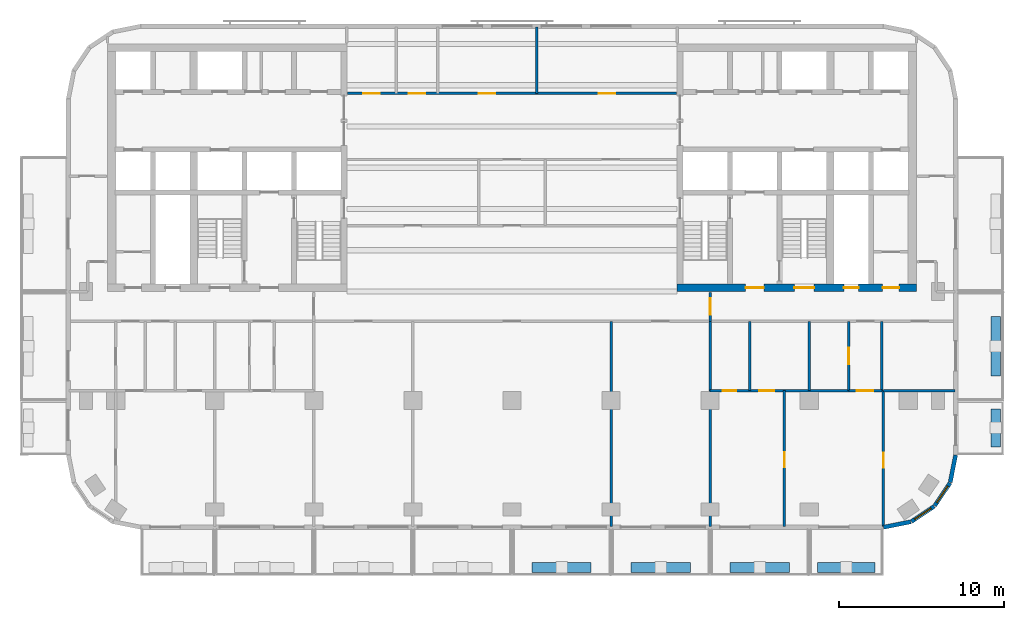
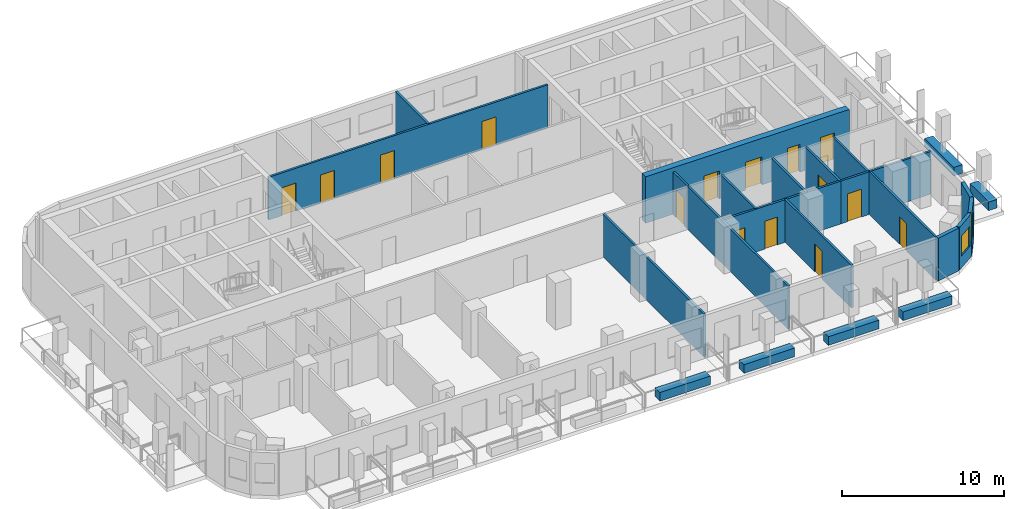
# One storey, part 5 of 11: 25 walls, 15 doors, 2 windows, 17 openings.
"""IFC4 building model written with IfcOpenShell, lengths in metres."""

from ifc_helpers import new_model, si_unit, direction, frame, frame_2d, origin, place, context, subcontext, project, spatial, rectangle, extrude, material, layer, layer_set, type_object, element, fill, save


model = new_model("IFC4")

# Units and contexts
model_context = context("Model", 3, precision=1e-05, world=origin(), true_north=direction((0.0, 1.0)))
body_context = subcontext(model_context, "Body", "Model", "MODEL_VIEW")
ifc_project = project(units=[si_unit("LENGTHUNIT", "METRE"), si_unit("AREAUNIT", "SQUARE_METRE"), si_unit("VOLUMEUNIT", "CUBIC_METRE"), si_unit("PLANEANGLEUNIT", "RADIAN"), si_unit("MASSUNIT", "GRAM", prefix="KILO")], contexts=[model_context])

# Site, building, storey
site_placement = place(None, origin())
site = spatial("IfcSite", under=ifc_project, at=site_placement, CompositionType="ELEMENT")
building_placement = place(site_placement, origin())
building = spatial("IfcBuilding", under=site, at=building_placement, Name="Torana Hotel and Residences", CompositionType="ELEMENT")
storey_placement = place(building_placement, frame((0.0, 0.0, 218.60009765625)))
storey = spatial("IfcBuildingStorey", under=building, at=storey_placement, Name="L57", CompositionType="ELEMENT", Elevation=218.60009765625)

# Wall, openings, doors
ifc_material_1 = material(Name="Concrete C70/85", Category="concrete")
ifc_layer_1 = layer(ifc_material_1, 0.449951171875)
ifc_layer_set_1 = layer_set([ifc_layer_1], Name="CORE WALL 450 C70/85")
wall_type_1 = type_object("IfcWallType", Name="CORE WALL 450 C70/85", PredefinedType="SHEAR", material=ifc_layer_set_1)
wall_1_placement = place(storey_placement, frame((10.0, -14.77490234375, 0.0), z_axis=(0.0, 0.0, 1.0), x_axis=(1.0, 0.0, 0.0)))
wall_1 = element("IfcWall", 1, at=wall_1_placement, inside=storey, type_object=wall_type_1, Name="Core wall E front", PredefinedType="SHEAR", context=body_context, shape_type="SweptSolid", body=[
    extrude(rectangle(XDim=14.5, YDim=0.449951171875, at=frame_2d((7.25, 0.0))), origin(), (0.0, 0.0, 1.0), 3.5),
])
opening_1_placement = place(wall_1_placement, frame((7.10009765625, 0.0, 0.0)))
opening_1 = element("IfcOpeningElement", 2, at=opening_1_placement, cuts=wall_1, Name="Opening L57-18", PredefinedType="OPENING", context=body_context, shape_type="SweptSolid", body=[
    extrude(rectangle(XDim=1.199951171875, YDim=2.10009765625, at=frame_2d((0.60009765625, 1.050048828125))), frame((0.0, 0.23486328125, 0.0), z_axis=(0.0, -1.0, 0.0), x_axis=(1.0, 0.0, 0.0)), (0.0, 0.0, 1.0), 0.469970703125),
])
opening_2_placement = place(wall_1_placement, frame((4.14990234375, 0.0, 0.0)))
opening_2 = element("IfcOpeningElement", 3, at=opening_2_placement, cuts=wall_1, Name="Opening L57-19", PredefinedType="OPENING", context=body_context, shape_type="SweptSolid", body=[
    extrude(rectangle(XDim=1.10009765625, YDim=2.10009765625, at=frame_2d((0.550048828125, 1.050048828125))), frame((0.0, 0.23486328125, 0.0), z_axis=(0.0, -1.0, 0.0), x_axis=(1.0, 0.0, 0.0)), (0.0, 0.0, 1.0), 0.469970703125),
])
opening_3_placement = place(wall_1_placement, frame((10.10009765625, 0.0, 0.0)))
opening_3 = element("IfcOpeningElement", 4, at=opening_3_placement, cuts=wall_1, Name="Opening L57-20", PredefinedType="OPENING", context=body_context, shape_type="SweptSolid", body=[
    extrude(rectangle(XDim=0.89990234375, YDim=2.10009765625, at=frame_2d((0.449951171875, 1.050048828125))), frame((0.0, 0.23486328125, 0.0), z_axis=(0.0, -1.0, 0.0), x_axis=(1.0, 0.0, 0.0)), (0.0, 0.0, 1.0), 0.469970703125),
])
opening_4_placement = place(wall_1_placement, frame((12.449951171875, 0.0, 0.0)))
opening_4 = element("IfcOpeningElement", 5, at=opening_4_placement, cuts=wall_1, Name="Opening L57-21", PredefinedType="OPENING", context=body_context, shape_type="SweptSolid", body=[
    extrude(rectangle(XDim=1.0, YDim=2.10009765625, at=frame_2d((0.5, 1.050048828125))), frame((0.0, 0.23486328125, 0.0), z_axis=(0.0, -1.0, 0.0), x_axis=(1.0, 0.0, 0.0)), (0.0, 0.0, 1.0), 0.469970703125),
])
ifc_material_2 = material(Name="Steel S235", Category="steel")
door_type_1 = type_object("IfcDoorType", Name="CORE ROOM FIRE DOOR D14 1000x2100", OperationType="SINGLE_SWING_LEFT", PredefinedType="DOOR", material=ifc_material_2)
door_1_placement = place(opening_4_placement, origin())
door_1 = element("IfcDoor", 6, at=door_1_placement, inside=storey, type_object=door_type_1, Name="M-Room-B door L57", OperationType="SINGLE_SWING_RIGHT", OverallHeight=2.10009765625, OverallWidth=1.0, PredefinedType="DOOR", context=body_context, shape_type="SweptSolid", body=[
    extrude(rectangle(XDim=1.0, YDim=2.10009765625, at=frame_2d((0.5, 1.050048828125))), frame((0.0, 0.02490234375, 0.0), z_axis=(0.0, -1.0, 0.0), x_axis=(1.0, 0.0, 0.0)), (0.0, 0.0, 1.0), 0.050048828125),
])
fill(opening_4, door_1)
ifc_material_3 = material(Name="Steel S235", Category="steel")
door_type_2 = type_object("IfcDoorType", Name="FIRE-FIGHTING LOBBY DOOR D8 1100x2100", OperationType="SINGLE_SWING_LEFT", PredefinedType="DOOR", material=ifc_material_3)
door_2_placement = place(opening_2_placement, origin())
door_2 = element("IfcDoor", 7, at=door_2_placement, inside=storey, type_object=door_type_2, Name="FF-lobby door L57", OperationType="SINGLE_SWING_RIGHT", OverallHeight=2.10009765625, OverallWidth=1.10009765625, PredefinedType="DOOR", context=body_context, shape_type="SweptSolid", body=[
    extrude(rectangle(XDim=1.10009765625, YDim=2.10009765625, at=frame_2d((0.550048828125, 1.050048828125))), frame((0.0, 0.02490234375, 0.0), z_axis=(0.0, -1.0, 0.0), x_axis=(1.0, 0.0, 0.0)), (0.0, 0.0, 1.0), 0.050048828125),
])
fill(opening_2, door_2)
ifc_material_4 = material(Name="Steel S235", Category="steel")
door_type_3 = type_object("IfcDoorType", Name="RISER ACCESS DOOR D5 900x2100", OperationType="SINGLE_SWING_LEFT", PredefinedType="DOOR", material=ifc_material_4)
door_3_placement = place(opening_3_placement, origin())
door_3 = element("IfcDoor", 8, at=door_3_placement, inside=storey, type_object=door_type_3, Name="M-Riser door L57", OperationType="SINGLE_SWING_RIGHT", OverallHeight=2.10009765625, OverallWidth=0.89990234375, PredefinedType="DOOR", context=body_context, shape_type="SweptSolid", body=[
    extrude(rectangle(XDim=0.89990234375, YDim=2.10009765625, at=frame_2d((0.449951171875, 1.050048828125))), frame((0.0, 0.02490234375, 0.0), z_axis=(0.0, -1.0, 0.0), x_axis=(1.0, 0.0, 0.0)), (0.0, 0.0, 1.0), 0.050048828125),
])
fill(opening_3, door_3)
ifc_material_5 = material(Name="Steel S235", Category="steel")
door_type_4 = type_object("IfcDoorType", Name="STAIR FIRE DOOR D3 1200x2100", OperationType="SINGLE_SWING_LEFT", PredefinedType="DOOR", material=ifc_material_5)
door_4_placement = place(opening_1_placement, origin())
door_4 = element("IfcDoor", 9, at=door_4_placement, inside=storey, type_object=door_type_4, Name="Stair-B door L57", OperationType="SINGLE_SWING_RIGHT", OverallHeight=2.10009765625, OverallWidth=1.199951171875, PredefinedType="DOOR", context=body_context, shape_type="SweptSolid", body=[
    extrude(rectangle(XDim=1.199951171875, YDim=2.10009765625, at=frame_2d((0.60009765625, 1.050048828125))), frame((0.0, 0.02490234375, 0.0), z_axis=(0.0, -1.0, 0.0), x_axis=(1.0, 0.0, 0.0)), (0.0, 0.0, 1.0), 0.050048828125),
])
fill(opening_1, door_4)

# Wall
ifc_material_6 = material(Name="Black aluminium composite panel", Category="aluminium")
ifc_layer_2 = layer(ifc_material_6, 0.00390625, Name="Cladding", Category="cladding")
ifc_material_7 = material(Name="Ventilated air cavity")
ifc_layer_3 = layer(ifc_material_7, 0.0400390625, Name="Ventilated cavity", Category="cavity")
ifc_material_8 = material(Name="Mineral wool insulation")
ifc_layer_4 = layer(ifc_material_8, 0.090087890625, Name="Insulation", Category="insulation")
ifc_material_9 = material(Name="Steel S280GD", Category="steel")
ifc_layer_5 = layer(ifc_material_9, 0.092041015625, Name="Steel stud frame", Category="structure")
ifc_material_10 = material(Name="Fire rated plasterboard")
ifc_layer_6 = layer(ifc_material_10, 0.011962890625, Name="Inner board", Category="finish")
ifc_layer_7 = layer(ifc_material_10, 0.011962890625, Name="Second board", Category="finish")
ifc_layer_set_2 = layer_set([ifc_layer_2, ifc_layer_3, ifc_layer_4, ifc_layer_5, ifc_layer_6, ifc_layer_7], Name="EW1 EXTERNAL WALL BLACK METAL CLAD 250")
wall_type_2 = type_object("IfcWallType", Name="EW1 EXTERNAL WALL BLACK METAL CLAD 250", PredefinedType="SOLIDWALL", material=ifc_layer_set_2)
wall_2_placement = place(storey_placement, frame((22.499755859375, -29.272705078125, 0.0), z_axis=(0.0, 0.0, 1.0), x_axis=(0.980775640221, 0.19513878023, 0.0)))
element("IfcWall", 10, at=wall_2_placement, inside=storey, type_object=wall_type_2, Name="External wall L57 e0.15", PredefinedType="SOLIDWALL", context=body_context, shape_type="SweptSolid", body=[
    extrude(rectangle(XDim=1.681396484375, YDim=0.25, at=frame_2d((0.8408203125, 0.0))), origin(), (0.0, 0.0, 1.0), 3.219970703125),
])

# Wall, opening, window
wall_3_placement = place(storey_placement, frame((24.194091796875, -28.92578125, 0.0), z_axis=(0.0, 0.0, 1.0), x_axis=(0.831482937015, 0.55555029066, 0.0)))
wall_3 = element("IfcWall", 11, at=wall_3_placement, inside=storey, type_object=wall_type_2, Name="External wall L57 e0.16", PredefinedType="SOLIDWALL", context=body_context, shape_type="SweptSolid", body=[
    extrude(rectangle(XDim=1.65625, YDim=0.25, at=frame_2d((0.828125, 0.0))), origin(), (0.0, 0.0, 1.0), 3.219970703125),
])
opening_5_placement = place(wall_3_placement, frame((0.228271484375, 0.0, 0.89990234375)))
opening_5 = element("IfcOpeningElement", 12, at=opening_5_placement, cuts=wall_3, Name="Opening W5", PredefinedType="OPENING", context=body_context, shape_type="SweptSolid", body=[
    extrude(rectangle(XDim=1.199951171875, YDim=1.5, at=frame_2d((0.60009765625, 0.75))), frame((0.0, 0.135009765625, 0.0), z_axis=(0.0, -1.0, 0.0), x_axis=(1.0, 0.0, 0.0)), (0.0, 0.0, 1.0), 0.27001953125),
])
ifc_material_11 = material(Name="Dark glass in black aluminium frame", Category="aluminium")
window_type = type_object("IfcWindowType", Name="W5 CORNER FACET WINDOW 1200x1500", PartitioningType="SINGLE_PANEL", PredefinedType="WINDOW", material=ifc_material_11)
window_1_placement = place(opening_5_placement, origin())
window_1 = element("IfcWindow", 13, at=window_1_placement, inside=storey, type_object=window_type, Name="Window L57 e0.16", OverallHeight=1.5, OverallWidth=1.199951171875, PartitioningType="SINGLE_PANEL", PredefinedType="WINDOW", context=body_context, shape_type="SweptSolid", body=[
    extrude(rectangle(XDim=1.199951171875, YDim=1.5, at=frame_2d((0.60009765625, 0.75))), frame((0.0, 0.030029296875, 0.0), z_axis=(0.0, -1.0, 0.0), x_axis=(1.0, 0.0, 0.0)), (0.0, 0.0, 1.0), 0.06005859375),
])
fill(opening_5, window_1)

wall_4_placement = place(storey_placement, frame((25.605712890625, -27.97119140625, 0.0), z_axis=(0.0, 0.0, 1.0), x_axis=(0.55555029066, 0.831482937015, 0.0)))
wall_4 = element("IfcWall", 14, at=wall_4_placement, inside=storey, type_object=wall_type_2, Name="External wall L57 e0.17", PredefinedType="SOLIDWALL", context=body_context, shape_type="SweptSolid", body=[
    extrude(rectangle(XDim=1.65625, YDim=0.25, at=frame_2d((0.828125, 0.0))), origin(), (0.0, 0.0, 1.0), 3.219970703125),
])
opening_6_placement = place(wall_4_placement, frame((0.228271484375, 0.0, 0.89990234375)))
opening_6 = element("IfcOpeningElement", 15, at=opening_6_placement, cuts=wall_4, Name="Opening W5", PredefinedType="OPENING", context=body_context, shape_type="SweptSolid", body=[
    extrude(rectangle(XDim=1.199951171875, YDim=1.5, at=frame_2d((0.60009765625, 0.75))), frame((0.0, 0.135009765625, 0.0), z_axis=(0.0, -1.0, 0.0), x_axis=(1.0, 0.0, 0.0)), (0.0, 0.0, 1.0), 0.27001953125),
])
window_2_placement = place(opening_6_placement, origin())
window_2 = element("IfcWindow", 16, at=window_2_placement, inside=storey, type_object=window_type, Name="Window L57 e0.17", OverallHeight=1.5, OverallWidth=1.199951171875, PartitioningType="SINGLE_PANEL", PredefinedType="WINDOW", context=body_context, shape_type="SweptSolid", body=[
    extrude(rectangle(XDim=1.199951171875, YDim=1.5, at=frame_2d((0.60009765625, 0.75))), frame((0.0, 0.030029296875, 0.0), z_axis=(0.0, -1.0, 0.0), x_axis=(1.0, 0.0, 0.0)), (0.0, 0.0, 1.0), 0.06005859375),
])
fill(opening_6, window_2)

# Walls
wall_5_placement = place(storey_placement, frame((26.544677734375, -26.548828125, 0.0), z_axis=(0.0, 0.0, 1.0), x_axis=(0.195026884138, 0.980797896849, 0.0)))
element("IfcWall", 17, at=wall_5_placement, inside=storey, type_object=wall_type_2, Name="External wall L57 e0.18", PredefinedType="SOLIDWALL", context=body_context, shape_type="SweptSolid", body=[
    extrude(rectangle(XDim=1.68115234375, YDim=0.25, at=frame_2d((0.840576171875, 0.0))), origin(), (0.0, 0.0, 1.0), 3.219970703125),
])
ifc_material_12 = material(Name="Gypsum plaster")
ifc_layer_8 = layer(ifc_material_12, 0.014892578125, Name="Plaster", Category="finish")
ifc_material_13 = material(Name="Concrete blockwork", Category="masonry")
ifc_layer_9 = layer(ifc_material_13, 0.1201171875, Name="Blockwork", Category="structure")
ifc_layer_10 = layer(ifc_material_12, 0.014892578125, Name="Plaster", Category="finish")
ifc_layer_set_3 = layer_set([ifc_layer_8, ifc_layer_9, ifc_layer_10], Name="FIRE PARTITION 150 BLOCKWORK")
wall_type_3 = type_object("IfcWallType", Name="FIRE PARTITION 150 BLOCKWORK", PredefinedType="PARTITIONING", material=ifc_layer_set_3)
wall_6_placement = place(storey_placement, frame((22.39990234375, -21.0, 0.0), z_axis=(0.0, 0.0, 1.0), x_axis=(0.0, 1.0, 0.0)))
element("IfcWall", 18, at=wall_6_placement, inside=storey, type_object=wall_type_3, Name="Partition L57", PredefinedType="PARTITIONING", context=body_context, shape_type="SweptSolid", body=[
    extrude(rectangle(XDim=4.199951171875, YDim=0.14990234375, at=frame_2d((2.10009765625, 0.0))), origin(), (0.0, 0.0, 1.0), 3.219970703125),
])

# Wall, opening, door
wall_7_placement = place(storey_placement, frame((20.39990234375, -21.0, 0.0), z_axis=(0.0, 0.0, 1.0), x_axis=(0.0, 1.0, 0.0)))
wall_7 = element("IfcWall", 19, at=wall_7_placement, inside=storey, type_object=wall_type_3, Name="Partition L57", PredefinedType="PARTITIONING", context=body_context, shape_type="SweptSolid", body=[
    extrude(rectangle(XDim=4.199951171875, YDim=0.14990234375, at=frame_2d((2.10009765625, 0.0))), origin(), (0.0, 0.0, 1.0), 3.219970703125),
])
opening_7_placement = place(wall_7_placement, frame((1.60009765625, 0.0, 0.0)))
opening_7 = element("IfcOpeningElement", 20, at=opening_7_placement, cuts=wall_7, Name="Opening L57-60", PredefinedType="OPENING", context=body_context, shape_type="SweptSolid", body=[
    extrude(rectangle(XDim=1.0, YDim=2.10009765625, at=frame_2d((0.5, 1.050048828125))), frame((0.0, 0.0849609375, 0.0), z_axis=(0.0, -1.0, 0.0), x_axis=(1.0, 0.0, 0.0)), (0.0, 0.0, 1.0), 0.169921875),
])
ifc_material_14 = material(Name="Steel S235", Category="steel")
door_type_5 = type_object("IfcDoorType", Name="ENTRY FIRE DOOR D6 1000x2100", OperationType="SINGLE_SWING_LEFT", PredefinedType="DOOR", material=ifc_material_14)
door_5_placement = place(opening_7_placement, origin())
door_5 = element("IfcDoor", 21, at=door_5_placement, inside=storey, type_object=door_type_5, Name="Door L57", OperationType="SINGLE_SWING_RIGHT", OverallHeight=2.10009765625, OverallWidth=1.0, PredefinedType="DOOR", context=body_context, shape_type="SweptSolid", body=[
    extrude(rectangle(XDim=1.0, YDim=2.10009765625, at=frame_2d((0.5, 1.050048828125))), frame((0.0, 0.02490234375, 0.0), z_axis=(0.0, -1.0, 0.0), x_axis=(1.0, 0.0, 0.0)), (0.0, 0.0, 1.0), 0.050048828125),
])
fill(opening_7, door_5)

wall_8_placement = place(storey_placement, frame((12.0, -16.800048828125, 0.0), z_axis=(0.0, 0.0, 1.0), x_axis=(0.0, 1.0, 0.0)))
wall_8 = element("IfcWall", 22, at=wall_8_placement, inside=storey, type_object=wall_type_3, Name="Partition L57", PredefinedType="PARTITIONING", context=body_context, shape_type="SweptSolid", body=[
    extrude(rectangle(XDim=1.75, YDim=0.14990234375, at=frame_2d((0.875, 0.0))), origin(), (0.0, 0.0, 1.0), 3.219970703125),
])
opening_8_placement = place(wall_8_placement, frame((0.39990234375, 0.0, 0.0)))
opening_8 = element("IfcOpeningElement", 23, at=opening_8_placement, cuts=wall_8, Name="Opening L57-36", PredefinedType="OPENING", context=body_context, shape_type="SweptSolid", body=[
    extrude(rectangle(XDim=1.0, YDim=2.10009765625, at=frame_2d((0.5, 1.050048828125))), frame((0.0, 0.0849609375, 0.0), z_axis=(0.0, -1.0, 0.0), x_axis=(1.0, 0.0, 0.0)), (0.0, 0.0, 1.0), 0.169921875),
])
door_6_placement = place(opening_8_placement, origin())
door_6 = element("IfcDoor", 24, at=door_6_placement, inside=storey, type_object=door_type_5, Name="Door L57", OperationType="SINGLE_SWING_RIGHT", OverallHeight=2.10009765625, OverallWidth=1.0, PredefinedType="DOOR", context=body_context, shape_type="SweptSolid", body=[
    extrude(rectangle(XDim=1.0, YDim=2.10009765625, at=frame_2d((0.5, 1.050048828125))), frame((0.0, 0.02490234375, 0.0), z_axis=(0.0, -1.0, 0.0), x_axis=(1.0, 0.0, 0.0)), (0.0, 0.0, 1.0), 0.050048828125),
])
fill(opening_8, door_6)

wall_9_placement = place(storey_placement, frame((20.39990234375, -21.0, 0.0), z_axis=(0.0, 0.0, 1.0), x_axis=(1.0, 0.0, 0.0)))
wall_9 = element("IfcWall", 25, at=wall_9_placement, inside=storey, type_object=wall_type_3, Name="Partition L57", PredefinedType="PARTITIONING", context=body_context, shape_type="SweptSolid", body=[
    extrude(rectangle(XDim=2.0, YDim=0.14990234375, at=frame_2d((1.0, 0.0))), origin(), (0.0, 0.0, 1.0), 3.219970703125),
])
opening_9_placement = place(wall_9_placement, frame((0.47998046875, 0.0, 0.0)))
opening_9 = element("IfcOpeningElement", 26, at=opening_9_placement, cuts=wall_9, Name="Opening L57-61", PredefinedType="OPENING", context=body_context, shape_type="SweptSolid", body=[
    extrude(rectangle(XDim=1.0, YDim=2.10009765625, at=frame_2d((0.5, 1.050048828125))), frame((0.0, 0.0849609375, 0.0), z_axis=(0.0, -1.0, 0.0), x_axis=(1.0, 0.0, 0.0)), (0.0, 0.0, 1.0), 0.169921875),
])
door_7_placement = place(opening_9_placement, frame((0.5, 0.0, 0.0), z_axis=(0.0, 0.0, 1.0), x_axis=(-1.0, 0.0, 0.0)))
door_7 = element("IfcDoor", 27, at=door_7_placement, inside=storey, type_object=door_type_5, Name="Door L57", OperationType="SINGLE_SWING_RIGHT", OverallHeight=2.10009765625, OverallWidth=1.0, PredefinedType="DOOR", context=body_context, shape_type="SweptSolid", body=[
    extrude(rectangle(XDim=1.0, YDim=2.10009765625, at=frame_2d((0.0, 1.050048828125))), frame((0.0, -0.02490234375, 0.0), z_axis=(0.0, 1.0, 0.0), x_axis=(-1.0, 0.0, 0.0)), (0.0, 0.0, 1.0), 0.050048828125),
])
fill(opening_9, door_7)

# Wall, openings, doors
wall_10_placement = place(storey_placement, frame((-9.949951171875, -3.0, 0.0), z_axis=(0.0, 0.0, 1.0), x_axis=(1.0, 0.0, 0.0)))
wall_10 = element("IfcWall", 28, at=wall_10_placement, inside=storey, type_object=wall_type_3, Name="Partition L57", PredefinedType="PARTITIONING", context=body_context, shape_type="SweptSolid", body=[
    extrude(rectangle(XDim=19.89990234375, YDim=0.14990234375, at=frame_2d((9.949951171875, 0.0))), origin(), (0.0, 0.0, 1.0), 3.219970703125),
])
opening_10_placement = place(wall_10_placement, frame((0.949951171875, 0.0, 0.0)))
opening_10 = element("IfcOpeningElement", 29, at=opening_10_placement, cuts=wall_10, Name="Opening L57-47", PredefinedType="OPENING", context=body_context, shape_type="SweptSolid", body=[
    extrude(rectangle(XDim=1.0, YDim=2.10009765625, at=frame_2d((0.5, 1.050048828125))), frame((0.0, 0.0849609375, 0.0), z_axis=(0.0, -1.0, 0.0), x_axis=(1.0, 0.0, 0.0)), (0.0, 0.0, 1.0), 0.169921875),
])
opening_11_placement = place(wall_10_placement, frame((3.699951171875, 0.0, 0.0)))
opening_11 = element("IfcOpeningElement", 30, at=opening_11_placement, cuts=wall_10, Name="Opening L57-48", PredefinedType="OPENING", context=body_context, shape_type="SweptSolid", body=[
    extrude(rectangle(XDim=1.0, YDim=2.10009765625, at=frame_2d((0.5, 1.050048828125))), frame((0.0, 0.0849609375, 0.0), z_axis=(0.0, -1.0, 0.0), x_axis=(1.0, 0.0, 0.0)), (0.0, 0.0, 1.0), 0.169921875),
])
opening_12_placement = place(wall_10_placement, frame((7.949951171875, 0.0, 0.0)))
opening_12 = element("IfcOpeningElement", 31, at=opening_12_placement, cuts=wall_10, Name="Opening L57-49", PredefinedType="OPENING", context=body_context, shape_type="SweptSolid", body=[
    extrude(rectangle(XDim=1.0, YDim=2.10009765625, at=frame_2d((0.5, 1.050048828125))), frame((0.0, 0.0849609375, 0.0), z_axis=(0.0, -1.0, 0.0), x_axis=(1.0, 0.0, 0.0)), (0.0, 0.0, 1.0), 0.169921875),
])
opening_13_placement = place(wall_10_placement, frame((15.199951171875, 0.0, 0.0)))
opening_13 = element("IfcOpeningElement", 32, at=opening_13_placement, cuts=wall_10, Name="Opening L57-50", PredefinedType="OPENING", context=body_context, shape_type="SweptSolid", body=[
    extrude(rectangle(XDim=1.0, YDim=2.10009765625, at=frame_2d((0.5, 1.050048828125))), frame((0.0, 0.0849609375, 0.0), z_axis=(0.0, -1.0, 0.0), x_axis=(1.0, 0.0, 0.0)), (0.0, 0.0, 1.0), 0.169921875),
])
door_8_placement = place(opening_10_placement, origin())
door_8 = element("IfcDoor", 33, at=door_8_placement, inside=storey, type_object=door_type_5, Name="Door L57", OperationType="SINGLE_SWING_RIGHT", OverallHeight=2.10009765625, OverallWidth=1.0, PredefinedType="DOOR", context=body_context, shape_type="SweptSolid", body=[
    extrude(rectangle(XDim=1.0, YDim=2.10009765625, at=frame_2d((0.5, 1.050048828125))), frame((0.0, 0.02490234375, 0.0), z_axis=(0.0, -1.0, 0.0), x_axis=(1.0, 0.0, 0.0)), (0.0, 0.0, 1.0), 0.050048828125),
])
fill(opening_10, door_8)
door_9_placement = place(opening_11_placement, origin())
door_9 = element("IfcDoor", 34, at=door_9_placement, inside=storey, type_object=door_type_5, Name="Door L57", OperationType="SINGLE_SWING_RIGHT", OverallHeight=2.10009765625, OverallWidth=1.0, PredefinedType="DOOR", context=body_context, shape_type="SweptSolid", body=[
    extrude(rectangle(XDim=1.0, YDim=2.10009765625, at=frame_2d((0.5, 1.050048828125))), frame((0.0, 0.02490234375, 0.0), z_axis=(0.0, -1.0, 0.0), x_axis=(1.0, 0.0, 0.0)), (0.0, 0.0, 1.0), 0.050048828125),
])
fill(opening_11, door_9)
door_10_placement = place(opening_12_placement, origin())
door_10 = element("IfcDoor", 35, at=door_10_placement, inside=storey, type_object=door_type_5, Name="Door L57", OperationType="SINGLE_SWING_RIGHT", OverallHeight=2.10009765625, OverallWidth=1.0, PredefinedType="DOOR", context=body_context, shape_type="SweptSolid", body=[
    extrude(rectangle(XDim=1.0, YDim=2.10009765625, at=frame_2d((0.5, 1.050048828125))), frame((0.0, 0.02490234375, 0.0), z_axis=(0.0, -1.0, 0.0), x_axis=(1.0, 0.0, 0.0)), (0.0, 0.0, 1.0), 0.050048828125),
])
fill(opening_12, door_10)
door_11_placement = place(opening_13_placement, origin())
door_11 = element("IfcDoor", 36, at=door_11_placement, inside=storey, type_object=door_type_5, Name="Door L57", OperationType="SINGLE_SWING_RIGHT", OverallHeight=2.10009765625, OverallWidth=1.0, PredefinedType="DOOR", context=body_context, shape_type="SweptSolid", body=[
    extrude(rectangle(XDim=1.0, YDim=2.10009765625, at=frame_2d((0.5, 1.050048828125))), frame((0.0, 0.02490234375, 0.0), z_axis=(0.0, -1.0, 0.0), x_axis=(1.0, 0.0, 0.0)), (0.0, 0.0, 1.0), 0.050048828125),
])
fill(opening_13, door_11)

# Wall, opening, door
ifc_material_15 = material(Name="Gypsum plasterboard")
ifc_layer_11 = layer(ifc_material_15, 0.012451171875, Name="Plasterboard", Category="finish")
ifc_layer_12 = layer(ifc_material_15, 0.012451171875, Name="Plasterboard", Category="finish")
ifc_layer_13 = layer(ifc_material_9, 0.10009765625, Name="Steel studs with mineral wool", Category="insulation")
ifc_layer_14 = layer(ifc_material_15, 0.012451171875, Name="Plasterboard", Category="finish")
ifc_layer_15 = layer(ifc_material_15, 0.012451171875, Name="Plasterboard", Category="finish")
ifc_layer_set_4 = layer_set([ifc_layer_11, ifc_layer_12, ifc_layer_13, ifc_layer_14, ifc_layer_15], Name="PARTITION 150 PLASTERBOARD")
wall_type_4 = type_object("IfcWallType", Name="PARTITION 150 PLASTERBOARD", PredefinedType="PARTITIONING", material=ifc_layer_set_4)
wall_11_placement = place(storey_placement, frame((22.5, -29.216552734375, 0.0), z_axis=(0.0, 0.0, 1.0), x_axis=(0.0, 1.0, 0.0)))
wall_11 = element("IfcWall", 37, at=wall_11_placement, inside=storey, type_object=wall_type_4, Name="Partition L57", PredefinedType="PARTITIONING", context=body_context, shape_type="SweptSolid", body=[
    extrude(rectangle(XDim=8.216552734375, YDim=0.14990234375, at=frame_2d((4.1083984375, 0.0))), origin(), (0.0, 0.0, 1.0), 3.219970703125),
])
opening_14_placement = place(wall_11_placement, frame((3.54638671875, 0.0, 0.0)))
opening_14 = element("IfcOpeningElement", 38, at=opening_14_placement, cuts=wall_11, Name="Opening L57-63", PredefinedType="OPENING", context=body_context, shape_type="SweptSolid", body=[
    extrude(rectangle(XDim=0.89990234375, YDim=2.10009765625, at=frame_2d((0.449951171875, 1.050048828125))), frame((0.0, 0.0849609375, 0.0), z_axis=(0.0, -1.0, 0.0), x_axis=(1.0, 0.0, 0.0)), (0.0, 0.0, 1.0), 0.169921875),
])
ifc_material_16 = material(Name="Timber door, oiled ash", Category="wood")
door_type_6 = type_object("IfcDoorType", Name="ROOM DOOR D7 900x2100", OperationType="SINGLE_SWING_LEFT", PredefinedType="DOOR", material=ifc_material_16)
door_12_placement = place(opening_14_placement, origin())
door_12 = element("IfcDoor", 39, at=door_12_placement, inside=storey, type_object=door_type_6, Name="Door L57", OperationType="SINGLE_SWING_RIGHT", OverallHeight=2.10009765625, OverallWidth=0.89990234375, PredefinedType="DOOR", context=body_context, shape_type="SweptSolid", body=[
    extrude(rectangle(XDim=0.89990234375, YDim=2.10009765625, at=frame_2d((0.449951171875, 1.050048828125))), frame((0.0, 0.02490234375, 0.0), z_axis=(0.0, -1.0, 0.0), x_axis=(1.0, 0.0, 0.0)), (0.0, 0.0, 1.0), 0.050048828125),
])
fill(opening_14, door_12)

# Wall
wall_12_placement = place(storey_placement, frame((18.0, -21.0, 0.0), z_axis=(0.0, 0.0, 1.0), x_axis=(0.0, 1.0, 0.0)))
element("IfcWall", 40, at=wall_12_placement, inside=storey, type_object=wall_type_4, Name="Partition L57", PredefinedType="PARTITIONING", context=body_context, shape_type="SweptSolid", body=[
    extrude(rectangle(XDim=4.199951171875, YDim=0.14990234375, at=frame_2d((2.10009765625, 0.0))), origin(), (0.0, 0.0, 1.0), 3.219970703125),
])

# Wall, opening, door
wall_13_placement = place(storey_placement, frame((16.5, -29.219970703125, 0.0), z_axis=(0.0, 0.0, 1.0), x_axis=(0.0, 1.0, 0.0)))
wall_13 = element("IfcWall", 41, at=wall_13_placement, inside=storey, type_object=wall_type_4, Name="Partition L57", PredefinedType="PARTITIONING", context=body_context, shape_type="SweptSolid", body=[
    extrude(rectangle(XDim=8.219970703125, YDim=0.14990234375, at=frame_2d((4.10986328125, 0.0))), origin(), (0.0, 0.0, 1.0), 3.219970703125),
])
opening_15_placement = place(wall_13_placement, frame((3.590087890625, 0.0, 0.0)))
opening_15 = element("IfcOpeningElement", 42, at=opening_15_placement, cuts=wall_13, Name="Opening L57-62", PredefinedType="OPENING", context=body_context, shape_type="SweptSolid", body=[
    extrude(rectangle(XDim=0.89990234375, YDim=2.10009765625, at=frame_2d((0.449951171875, 1.050048828125))), frame((0.0, 0.0849609375, 0.0), z_axis=(0.0, -1.0, 0.0), x_axis=(1.0, 0.0, 0.0)), (0.0, 0.0, 1.0), 0.169921875),
])
door_13_placement = place(opening_15_placement, origin())
door_13 = element("IfcDoor", 43, at=door_13_placement, inside=storey, type_object=door_type_6, Name="Door L57", OperationType="SINGLE_SWING_RIGHT", OverallHeight=2.10009765625, OverallWidth=0.89990234375, PredefinedType="DOOR", context=body_context, shape_type="SweptSolid", body=[
    extrude(rectangle(XDim=0.89990234375, YDim=2.10009765625, at=frame_2d((0.449951171875, 1.050048828125))), frame((0.0, 0.02490234375, 0.0), z_axis=(0.0, -1.0, 0.0), x_axis=(1.0, 0.0, 0.0)), (0.0, 0.0, 1.0), 0.050048828125),
])
fill(opening_15, door_13)

# Walls
wall_14_placement = place(storey_placement, frame((14.39990234375, -21.0, 0.0), z_axis=(0.0, 0.0, 1.0), x_axis=(0.0, 1.0, 0.0)))
element("IfcWall", 44, at=wall_14_placement, inside=storey, type_object=wall_type_4, Name="Partition L57", PredefinedType="PARTITIONING", context=body_context, shape_type="SweptSolid", body=[
    extrude(rectangle(XDim=4.199951171875, YDim=0.14990234375, at=frame_2d((2.10009765625, 0.0))), origin(), (0.0, 0.0, 1.0), 3.219970703125),
])
for number, where, z_axis, x_axis, name in (
    (45, (12.0, -29.219970703125, 0.0), (0.0, 0.0, 1.0), (0.0, 1.0, 0.0), "Partition L57"),
    (46, (6.0, -29.219970703125, 0.0), (0.0, 0.0, 1.0), (0.0, 1.0, 0.0), "Partition L57"),
):
    element("IfcWall", number, at=place(storey_placement, frame(where, z_axis=z_axis, x_axis=x_axis)), inside=storey, type_object=wall_type_4, Name=name, PredefinedType="PARTITIONING", context=body_context, shape_type="SweptSolid", body=[
        extrude(rectangle(XDim=12.419921875, YDim=0.14990234375, at=frame_2d((6.2099609375, 0.0))), origin(), (0.0, 0.0, 1.0), 3.219970703125),
    ])
wall_15_placement = place(storey_placement, frame((1.5, -3.0, 0.0), z_axis=(0.0, 0.0, 1.0), x_axis=(0.0, 1.0, 0.0)))
element("IfcWall", 47, at=wall_15_placement, inside=storey, type_object=wall_type_4, Name="Partition L57", PredefinedType="PARTITIONING", context=body_context, shape_type="SweptSolid", body=[
    extrude(rectangle(XDim=4.02001953125, YDim=0.14990234375, at=frame_2d((2.010009765625, 0.0))), origin(), (0.0, 0.0, 1.0), 3.219970703125),
])

# Wall, openings, doors
wall_16_placement = place(storey_placement, frame((12.0, -21.0, 0.0), z_axis=(0.0, 0.0, 1.0), x_axis=(1.0, 0.0, 0.0)))
wall_16 = element("IfcWall", 48, at=wall_16_placement, inside=storey, type_object=wall_type_4, Name="Partition L57", PredefinedType="PARTITIONING", context=body_context, shape_type="SweptSolid", body=[
    extrude(rectangle(XDim=8.39990234375, YDim=0.14990234375, at=frame_2d((4.199951171875, 0.0))), origin(), (0.0, 0.0, 1.0), 3.219970703125),
])
opening_16_placement = place(wall_16_placement, frame((0.780029296875, 0.0, 0.0)))
opening_16 = element("IfcOpeningElement", 49, at=opening_16_placement, cuts=wall_16, Name="Opening L57-58", PredefinedType="OPENING", context=body_context, shape_type="SweptSolid", body=[
    extrude(rectangle(XDim=0.800048828125, YDim=2.10009765625, at=frame_2d((0.39990234375, 1.050048828125))), frame((0.0, 0.0849609375, 0.0), z_axis=(0.0, -1.0, 0.0), x_axis=(1.0, 0.0, 0.0)), (0.0, 0.0, 1.0), 0.169921875),
])
opening_17_placement = place(wall_16_placement, frame((2.97998046875, 0.0, 0.0)))
opening_17 = element("IfcOpeningElement", 50, at=opening_17_placement, cuts=wall_16, Name="Opening L57-59", PredefinedType="OPENING", context=body_context, shape_type="SweptSolid", body=[
    extrude(rectangle(XDim=0.89990234375, YDim=2.10009765625, at=frame_2d((0.449951171875, 1.050048828125))), frame((0.0, 0.0849609375, 0.0), z_axis=(0.0, -1.0, 0.0), x_axis=(1.0, 0.0, 0.0)), (0.0, 0.0, 1.0), 0.169921875),
])
ifc_material_17 = material(Name="Timber door, painted", Category="wood")
door_type_7 = type_object("IfcDoorType", Name="BATH DOOR D13 800x2100", OperationType="SINGLE_SWING_LEFT", PredefinedType="DOOR", material=ifc_material_17)
door_14_placement = place(opening_16_placement, origin())
door_14 = element("IfcDoor", 51, at=door_14_placement, inside=storey, type_object=door_type_7, Name="Door L57", OperationType="SINGLE_SWING_RIGHT", OverallHeight=2.10009765625, OverallWidth=0.800048828125, PredefinedType="DOOR", context=body_context, shape_type="SweptSolid", body=[
    extrude(rectangle(XDim=0.800048828125, YDim=2.10009765625, at=frame_2d((0.39990234375, 1.050048828125))), frame((0.0, 0.02490234375, 0.0), z_axis=(0.0, -1.0, 0.0), x_axis=(1.0, 0.0, 0.0)), (0.0, 0.0, 1.0), 0.050048828125),
])
fill(opening_16, door_14)
door_15_placement = place(opening_17_placement, origin())
door_15 = element("IfcDoor", 52, at=door_15_placement, inside=storey, type_object=door_type_6, Name="Door L57", OperationType="SINGLE_SWING_RIGHT", OverallHeight=2.10009765625, OverallWidth=0.89990234375, PredefinedType="DOOR", context=body_context, shape_type="SweptSolid", body=[
    extrude(rectangle(XDim=0.89990234375, YDim=2.10009765625, at=frame_2d((0.449951171875, 1.050048828125))), frame((0.0, 0.02490234375, 0.0), z_axis=(0.0, -1.0, 0.0), x_axis=(1.0, 0.0, 0.0)), (0.0, 0.0, 1.0), 0.050048828125),
])
fill(opening_17, door_15)

# Walls
wall_17_placement = place(storey_placement, frame((22.5, -21.0, 0.0), z_axis=(0.0, 0.0, 1.0), x_axis=(1.0, 0.0, 0.0)))
element("IfcWall", 53, at=wall_17_placement, inside=storey, type_object=wall_type_4, Name="Partition L57", PredefinedType="PARTITIONING", context=body_context, shape_type="SweptSolid", body=[
    extrude(rectangle(XDim=4.320068359375, YDim=0.14990234375, at=frame_2d((2.16015625, 0.0))), origin(), (0.0, 0.0, 1.0), 3.219970703125),
])
ifc_material_18 = material(Name="Concrete C40/50 precast", Category="concrete")
ifc_layer_16 = layer(ifc_material_18, 0.10009765625, Name="Planter shell", Category="structure")
ifc_material_19 = material(Name="Root resistant membrane")
ifc_layer_17 = layer(ifc_material_19, 0.00390625, Name="Waterproofing membrane", Category="membrane")
ifc_material_20 = material(Name="Drainage board with filter fleece")
ifc_layer_18 = layer(ifc_material_20, 0.02001953125, Name="Drainage board", Category="drainage")
ifc_material_21 = material(Name="Growing medium")
ifc_layer_19 = layer(ifc_material_21, 0.47607421875, Name="Planting substrate", Category="soil")
ifc_layer_set_5 = layer_set([ifc_layer_16, ifc_layer_17, ifc_layer_18, ifc_layer_19], Name="PL1 BALCONY PLANTER 600")
wall_type_5 = type_object("IfcWallType", Name="PL1 BALCONY PLANTER 600", PredefinedType="USERDEFINED", material=ifc_layer_set_5)
for number, where, z_axis, x_axis, name in (
    (54, (4.800048828125, -31.699951171875, 0.0), (0.0, 0.0, 1.0), (-1.0, 0.0, 0.0), "Planter 05"),
    (55, (10.800048828125, -31.699951171875, 0.0), (0.0, 0.0, 1.0), (-1.0, 0.0, 0.0), "Planter 06"),
    (56, (16.800048828125, -31.699951171875, 0.0), (0.0, 0.0, 1.0), (-1.0, 0.0, 0.0), "Planter 07"),
):
    element("IfcWall", number, at=place(storey_placement, frame(where, z_axis=z_axis, x_axis=x_axis)), inside=storey, type_object=wall_type_5, Name=name, ObjectType="PLANTER", PredefinedType="USERDEFINED", context=body_context, shape_type="SweptSolid", body=[
        extrude(rectangle(XDim=3.60009765625, YDim=0.60009765625, at=frame_2d((1.800048828125, 0.0))), origin(), (0.0, 0.0, 1.0), 0.64990234375),
    ])
wall_18_placement = place(storey_placement, frame((22.0, -31.699951171875, 0.0), z_axis=(0.0, 0.0, 1.0), x_axis=(-1.0, 0.0, 0.0)))
element("IfcWall", 57, at=wall_18_placement, inside=storey, type_object=wall_type_5, Name="Planter 08", ObjectType="PLANTER", PredefinedType="USERDEFINED", context=body_context, shape_type="SweptSolid", body=[
    extrude(rectangle(XDim=3.5, YDim=0.60009765625, at=frame_2d((1.75, 0.0))), origin(), (0.0, 0.0, 1.0), 0.64990234375),
])
wall_19_placement = place(storey_placement, frame((29.300048828125, -22.10009765625, 0.0), z_axis=(0.0, 0.0, 1.0), x_axis=(0.0, -1.0, 0.0)))
element("IfcWall", 58, at=wall_19_placement, inside=storey, type_object=wall_type_5, Name="Planter 12", ObjectType="PLANTER", PredefinedType="USERDEFINED", context=body_context, shape_type="SweptSolid", body=[
    extrude(rectangle(XDim=2.2998046875, YDim=0.60009765625, at=frame_2d((1.14990234375, 0.0))), origin(), (0.0, 0.0, 1.0), 0.64990234375),
])
wall_20_placement = place(storey_placement, frame((29.300048828125, -16.5, 0.0), z_axis=(0.0, 0.0, 1.0), x_axis=(0.0, -1.0, 0.0)))
element("IfcWall", 59, at=wall_20_placement, inside=storey, type_object=wall_type_5, Name="Planter 13", ObjectType="PLANTER", PredefinedType="USERDEFINED", context=body_context, shape_type="SweptSolid", body=[
    extrude(rectangle(XDim=3.60009765625, YDim=0.60009765625, at=frame_2d((1.800048828125, 0.0))), origin(), (0.0, 0.0, 1.0), 0.64990234375),
])

save(model, "model.ifc")
